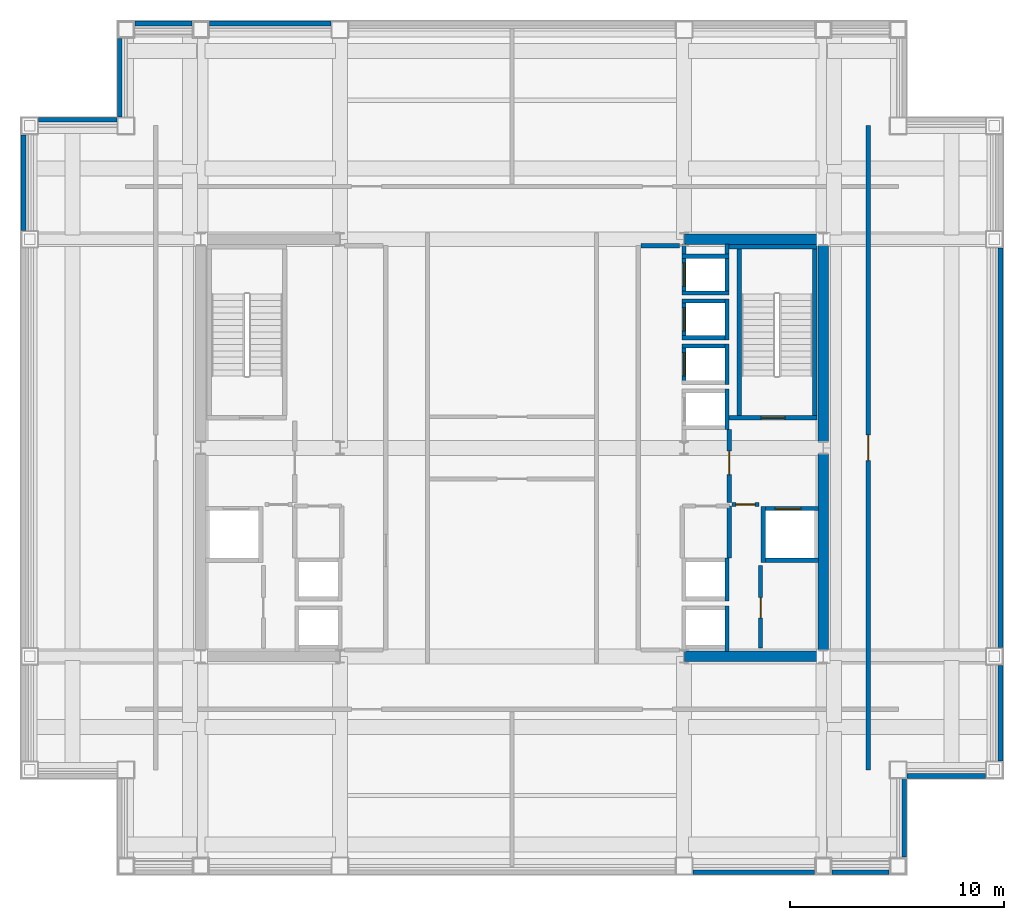
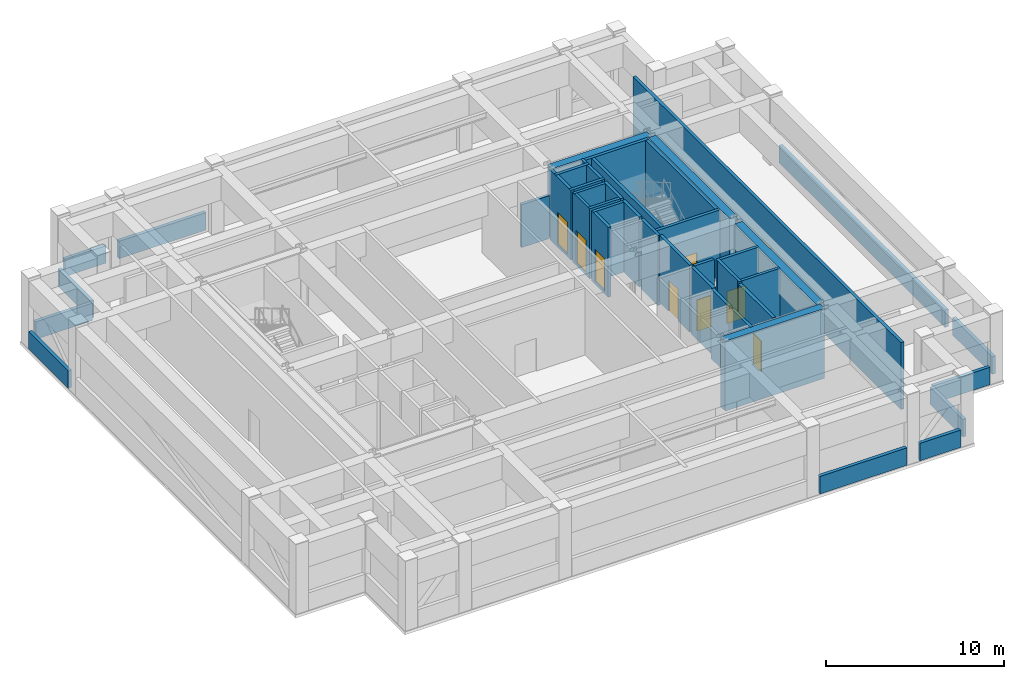
# One storey, part 5 of 9: 42 walls, 9 doors, 9 openings.
"""IFC4 building model written with IfcOpenShell, lengths in metres."""

from ifc_helpers import new_model, si_unit, direction, frame, frame_2d, origin, place, context, subcontext, project, spatial, rectangle, extrude, material, layer, layer_set, type_object, element, fill, save


model = new_model("IFC4")

# Units and contexts
model_context = context("Model", 3, precision=1e-05, world=origin(), true_north=direction((0.0, 1.0)))
body_context = subcontext(model_context, "Body", "Model", "MODEL_VIEW")
ifc_project = project(units=[si_unit("LENGTHUNIT", "METRE"), si_unit("AREAUNIT", "SQUARE_METRE"), si_unit("VOLUMEUNIT", "CUBIC_METRE"), si_unit("PLANEANGLEUNIT", "RADIAN"), si_unit("MASSUNIT", "GRAM", prefix="KILO")], contexts=[model_context])

# Site, building, storey
site_placement = place(None, origin())
site = spatial("IfcSite", under=ifc_project, at=site_placement, CompositionType="ELEMENT")
building_placement = place(site_placement, origin())
building = spatial("IfcBuilding", under=site, at=building_placement, Name="Brelmoor Portico Tower", CompositionType="ELEMENT")
storey_placement = place(building_placement, frame((0.0, 0.0, 145.800048828125)))
storey = spatial("IfcBuildingStorey", under=building, at=storey_placement, Name="L38", CompositionType="ELEMENT", Elevation=145.800048828125)

# Walls
ifc_material_1 = material(Name="Concrete C60", Category="concrete")
ifc_layer_1 = layer(ifc_material_1, 0.5)
ifc_layer_set_1 = layer_set([ifc_layer_1], Name="Concrete C60")
wall_type_1 = type_object("IfcWallType", Name="WL-CORE-500", PredefinedType="SHEAR", material=ifc_layer_set_1)
for number, where, z_axis, x_axis, name in (
    (1, (8.070068359375, -9.75, -0.199951171875), (0.0, 0.0, 1.0), (1.0, 0.0, 0.0), "L38 EC South Shear Wall"),
    (2, (8.070068359375, 9.75, -0.199951171875), (0.0, 0.0, 1.0), (1.0, 0.0, 0.0), "L38 EC North Shear Wall"),
):
    element("IfcWall", number, at=place(storey_placement, frame(where, z_axis=z_axis, x_axis=x_axis)), inside=storey, type_object=wall_type_1, Name=name, PredefinedType="SHEAR", context=body_context, shape_type="SweptSolid", body=[
        extrude(rectangle(XDim=6.4599609375, YDim=0.5, at=frame_2d((3.22998046875, 0.0))), origin(), (0.0, 0.0, 1.0), 4.7998046875),
    ])
for number, where, z_axis, x_axis, name in (
    (3, (14.550048828125, -9.449951171875, -0.199951171875), (0.0, 0.0, 1.0), (0.0, 1.0, 0.0), "L38 EC Outer South Shear Wall"),
    (4, (14.550048828125, 0.300048828125, -0.199951171875), (0.0, 0.0, 1.0), (0.0, 1.0, 0.0), "L38 EC Outer North Shear Wall"),
):
    element("IfcWall", number, at=place(storey_placement, frame(where, z_axis=z_axis, x_axis=x_axis)), inside=storey, type_object=wall_type_1, Name=name, PredefinedType="SHEAR", context=body_context, shape_type="SweptSolid", body=[
        extrude(rectangle(XDim=9.14990234375, YDim=0.5, at=frame_2d((4.574951171875, 0.0))), origin(), (0.0, 0.0, 1.0), 4.7998046875),
    ])
ifc_material_2 = material(Name="Concrete C40 Parapet Upstand", Category="concrete")
ifc_layer_2 = layer(ifc_material_2, 0.219970703125)
ifc_layer_set_2 = layer_set([ifc_layer_2], Name="Concrete C40 Parapet Upstand")
wall_type_2 = type_object("IfcWallType", Name="WL-PARAPET-220", PredefinedType="PARAPET", material=ifc_layer_set_2)
wall_1_placement = place(storey_placement, frame((8.469970703125, -19.840087890625, 0.0), z_axis=(0.0, 0.0, 1.0), x_axis=(1.0, 0.0, 0.0)))
element("IfcWall", 5, at=wall_1_placement, inside=storey, type_object=wall_type_2, Name="L38 Plant Louvre Perimeter Upstand 04", PredefinedType="PARAPET", context=body_context, shape_type="SweptSolid", body=[
    extrude(rectangle(XDim=5.659912109375, YDim=0.219970703125, at=frame_2d((2.830078125, 0.0))), origin(), (0.0, 0.0, 1.0), 1.199951171875),
])
wall_2_placement = place(storey_placement, frame((14.969970703125, -19.840087890625, 0.0), z_axis=(0.0, 0.0, 1.0), x_axis=(1.0, 0.0, 0.0)))
element("IfcWall", 6, at=wall_2_placement, inside=storey, type_object=wall_type_2, Name="L38 Plant Louvre Perimeter Upstand 05", PredefinedType="PARAPET", context=body_context, shape_type="SweptSolid", body=[
    extrude(rectangle(XDim=2.659912109375, YDim=0.219970703125, at=frame_2d((1.330078125, 0.0))), origin(), (0.0, 0.0, 1.0), 1.199951171875),
])
for number, where, z_axis, x_axis, name in (
    (7, (18.340087890625, -19.1298828125, 0.0), (0.0, 0.0, 1.0), (0.0, 1.0, 0.0), "L38 Plant Louvre Perimeter Upstand 06"),
    (8, (18.4599609375, -15.340087890625, 0.0), (0.0, 0.0, 1.0), (1.0, 0.0, 0.0), "L38 Plant Louvre Perimeter Upstand 07"),
):
    element("IfcWall", number, at=place(storey_placement, frame(where, z_axis=z_axis, x_axis=x_axis)), inside=storey, type_object=wall_type_2, Name=name, PredefinedType="PARAPET", context=body_context, shape_type="SweptSolid", body=[
        extrude(rectangle(XDim=3.669921875, YDim=0.219970703125, at=frame_2d((1.8349609375, 0.0))), origin(), (0.0, 0.0, 1.0), 1.199951171875),
    ])
wall_3_placement = place(storey_placement, frame((22.840087890625, -14.6298828125, 0.0), z_axis=(0.0, 0.0, 1.0), x_axis=(0.0, 1.0, 0.0)))
element("IfcWall", 9, at=wall_3_placement, inside=storey, type_object=wall_type_2, Name="L38 Plant Louvre Perimeter Upstand 08", PredefinedType="PARAPET", context=body_context, shape_type="SweptSolid", body=[
    extrude(rectangle(XDim=4.4599609375, YDim=0.219970703125, at=frame_2d((2.22998046875, 0.0))), origin(), (0.0, 0.0, 1.0), 1.199951171875),
])
wall_4_placement = place(storey_placement, frame((22.840087890625, -9.330078125, 0.0), z_axis=(0.0, 0.0, 1.0), x_axis=(0.0, 1.0, 0.0)))
element("IfcWall", 10, at=wall_4_placement, inside=storey, type_object=wall_type_2, Name="L38 Plant Louvre Perimeter Upstand 09", PredefinedType="PARAPET", context=body_context, shape_type="SweptSolid", body=[
    extrude(rectangle(XDim=18.66015625, YDim=0.219970703125, at=frame_2d((9.330078125, 0.0))), origin(), (0.0, 0.0, 1.0), 1.199951171875),
])
wall_5_placement = place(storey_placement, frame((-8.469970703125, 19.840087890625, 0.0), z_axis=(0.0, 0.0, 1.0), x_axis=(-1.0, 0.0, 0.0)))
element("IfcWall", 11, at=wall_5_placement, inside=storey, type_object=wall_type_2, Name="L38 Plant Louvre Perimeter Upstand 16", PredefinedType="PARAPET", context=body_context, shape_type="SweptSolid", body=[
    extrude(rectangle(XDim=5.659912109375, YDim=0.219970703125, at=frame_2d((2.830078125, 0.0))), origin(), (0.0, 0.0, 1.0), 1.199951171875),
])
wall_6_placement = place(storey_placement, frame((-14.969970703125, 19.840087890625, 0.0), z_axis=(0.0, 0.0, 1.0), x_axis=(-1.0, 0.0, 0.0)))
element("IfcWall", 12, at=wall_6_placement, inside=storey, type_object=wall_type_2, Name="L38 Plant Louvre Perimeter Upstand 17", PredefinedType="PARAPET", context=body_context, shape_type="SweptSolid", body=[
    extrude(rectangle(XDim=2.659912109375, YDim=0.219970703125, at=frame_2d((1.330078125, 0.0))), origin(), (0.0, 0.0, 1.0), 1.199951171875),
])
for number, where, z_axis, x_axis, name in (
    (13, (-18.340087890625, 19.1298828125, 0.0), (0.0, 0.0, 1.0), (0.0, -1.0, 0.0), "L38 Plant Louvre Perimeter Upstand 18"),
    (14, (-18.4599609375, 15.340087890625, 0.0), (0.0, 0.0, 1.0), (-1.0, 0.0, 0.0), "L38 Plant Louvre Perimeter Upstand 19"),
):
    element("IfcWall", number, at=place(storey_placement, frame(where, z_axis=z_axis, x_axis=x_axis)), inside=storey, type_object=wall_type_2, Name=name, PredefinedType="PARAPET", context=body_context, shape_type="SweptSolid", body=[
        extrude(rectangle(XDim=3.669921875, YDim=0.219970703125, at=frame_2d((1.8349609375, 0.0))), origin(), (0.0, 0.0, 1.0), 1.199951171875),
    ])
wall_7_placement = place(storey_placement, frame((-22.840087890625, 14.6298828125, 0.0), z_axis=(0.0, 0.0, 1.0), x_axis=(0.0, -1.0, 0.0)))
element("IfcWall", 15, at=wall_7_placement, inside=storey, type_object=wall_type_2, Name="L38 Plant Louvre Perimeter Upstand 20", PredefinedType="PARAPET", context=body_context, shape_type="SweptSolid", body=[
    extrude(rectangle(XDim=4.4599609375, YDim=0.219970703125, at=frame_2d((2.22998046875, 0.0))), origin(), (0.0, 0.0, 1.0), 1.199951171875),
])
ifc_material_3 = material(Name="Double-Stud Gypsum Fire Partition", Category="gypsum")
ifc_layer_3 = layer(ifc_material_3, 0.199951171875)
ifc_layer_set_3 = layer_set([ifc_layer_3], Name="Double-Stud Gypsum Fire Partition")
wall_type_3 = type_object("IfcWallType", Name="WL-PART-200", PredefinedType="PARTITIONING", material=ifc_layer_set_3)
wall_8_placement = place(storey_placement, frame((6.02001953125, 9.449951171875, 0.0), z_axis=(0.0, 0.0, 1.0), x_axis=(1.0, 0.0, 0.0)))
element("IfcWall", 16, at=wall_8_placement, inside=storey, type_object=wall_type_3, Name="L38 E Lift Lobby North End Wall", PredefinedType="PARTITIONING", context=body_context, shape_type="SweptSolid", body=[
    extrude(rectangle(XDim=1.800048828125, YDim=0.199951171875, at=frame_2d((0.89990234375, 0.0))), origin(), (0.0, 0.0, 1.0), 2.949951171875),
])

# Wall, opening, door
wall_9_placement = place(storey_placement, frame((10.159912109375, -2.550048828125, 0.0), z_axis=(0.0, 0.0, 1.0), x_axis=(0.0, 1.0, 0.0)))
wall_9 = element("IfcWall", 17, at=wall_9_placement, inside=storey, type_object=wall_type_3, Name="L38 E Firefighting Lobby Wall", PredefinedType="PARTITIONING", context=body_context, shape_type="SweptSolid", body=[
    extrude(rectangle(XDim=3.400146484375, YDim=0.199951171875, at=frame_2d((1.7001953125, 0.0))), origin(), (0.0, 0.0, 1.0), 4.599853515625),
])
opening_1_placement = place(wall_9_placement, frame((1.300048828125, 0.0, 0.0)))
opening_1 = element("IfcOpeningElement", 18, at=opening_1_placement, cuts=wall_9, Name="Opening D-FR1", PredefinedType="OPENING", context=body_context, shape_type="SweptSolid", body=[
    extrude(rectangle(XDim=1.10009765625, YDim=2.14990234375, at=frame_2d((0.550048828125, 1.074951171875))), frame((0.0, 0.10986328125, 0.0), z_axis=(0.0, -1.0, 0.0), x_axis=(1.0, 0.0, 0.0)), (0.0, 0.0, 1.0), 0.219970703125),
])
ifc_material_4 = material(Name="Painted Galvanised Steel Fire Door", Category="steel")
door_type_1 = type_object("IfcDoorType", Name="DR-FIRE-1100", OperationType="NOTDEFINED", PredefinedType="DOOR", material=ifc_material_4)
door_1_placement = place(opening_1_placement, origin())
door_1 = element("IfcDoor", 19, at=door_1_placement, inside=storey, type_object=door_type_1, Name="D-1649 L38 E Firefighting Lobby Door", OperationType="SINGLE_SWING_RIGHT", OverallHeight=2.14990234375, OverallWidth=1.10009765625, PredefinedType="DOOR", context=body_context, shape_type="SweptSolid", body=[
    extrude(rectangle(XDim=1.10009765625, YDim=2.14990234375, at=frame_2d((0.550048828125, 1.074951171875))), frame((0.0, 0.02490234375, 0.0), z_axis=(0.0, -1.0, 0.0), x_axis=(1.0, 0.0, 0.0)), (0.0, 0.0, 1.0), 0.050048828125),
])
fill(opening_1, door_1)

wall_10_placement = place(storey_placement, frame((10.280029296875, -2.64990234375, 0.0), z_axis=(0.0, 0.0, 1.0), x_axis=(1.0, 0.0, 0.0)))
wall_10 = element("IfcWall", 20, at=wall_10_placement, inside=storey, type_object=wall_type_3, Name="L38 E Firefighting Lobby South Wall", PredefinedType="PARTITIONING", context=body_context, shape_type="SweptSolid", body=[
    extrude(rectangle(XDim=1.27001953125, YDim=0.199951171875, at=frame_2d((0.635009765625, 0.0))), origin(), (0.0, 0.0, 1.0), 4.599853515625),
])
opening_2_placement = place(wall_10_placement, frame((0.18505859375, 0.0, 0.0)))
opening_2 = element("IfcOpeningElement", 21, at=opening_2_placement, cuts=wall_10, Name="Opening D-IN1", PredefinedType="OPENING", context=body_context, shape_type="SweptSolid", body=[
    extrude(rectangle(XDim=0.89990234375, YDim=2.14990234375, at=frame_2d((0.449951171875, 1.074951171875))), frame((0.0, 0.10986328125, 0.0), z_axis=(0.0, -1.0, 0.0), x_axis=(1.0, 0.0, 0.0)), (0.0, 0.0, 1.0), 0.219970703125),
])
ifc_material_5 = material(Name="Lacquered Timber Suite Door", Category="wood")
door_type_2 = type_object("IfcDoorType", Name="DR-INT-900", OperationType="NOTDEFINED", PredefinedType="DOOR", material=ifc_material_5)
door_2_placement = place(opening_2_placement, origin())
door_2 = element("IfcDoor", 22, at=door_2_placement, inside=storey, type_object=door_type_2, Name="D-1645 L38 E Core Service Vestibule Door", OperationType="SINGLE_SWING_LEFT", OverallHeight=2.14990234375, OverallWidth=0.89990234375, PredefinedType="DOOR", context=body_context, shape_type="SweptSolid", body=[
    extrude(rectangle(XDim=0.89990234375, YDim=2.14990234375, at=frame_2d((0.449951171875, 1.074951171875))), frame((0.0, 0.02490234375, 0.0), z_axis=(0.0, -1.0, 0.0), x_axis=(1.0, 0.0, 0.0)), (0.0, 0.0, 1.0), 0.050048828125),
])
fill(opening_2, door_2)

# Wall
wall_11_placement = place(storey_placement, frame((10.159912109375, -5.159912109375, 0.0), z_axis=(0.0, 0.0, 1.0), x_axis=(0.0, 1.0, 0.0)))
element("IfcWall", 23, at=wall_11_placement, inside=storey, type_object=wall_type_3, Name="L38 E Electrical Switchgear Closet Outer Wall", PredefinedType="PARTITIONING", context=body_context, shape_type="SweptSolid", body=[
    extrude(rectangle(XDim=2.43994140625, YDim=0.199951171875, at=frame_2d((1.219970703125, 0.0))), origin(), (0.0, 0.0, 1.0), 4.599853515625),
])

# Wall, opening, door
wall_12_placement = place(storey_placement, frame((11.6201171875, -9.35009765625, 0.0), z_axis=(0.0, 0.0, 1.0), x_axis=(0.0, 1.0, 0.0)))
wall_12 = element("IfcWall", 24, at=wall_12_placement, inside=storey, type_object=wall_type_3, Name="L38 E Mechanical Equipment Closet Wall", PredefinedType="PARTITIONING", context=body_context, shape_type="SweptSolid", body=[
    extrude(rectangle(XDim=3.85009765625, YDim=0.199951171875, at=frame_2d((1.925048828125, 0.0))), origin(), (0.0, 0.0, 1.0), 4.599853515625),
])
opening_3_placement = place(wall_12_placement, frame((1.39990234375, 0.0, 0.0)))
opening_3 = element("IfcOpeningElement", 25, at=opening_3_placement, cuts=wall_12, Name="Opening D-FR4", PredefinedType="OPENING", context=body_context, shape_type="SweptSolid", body=[
    extrude(rectangle(XDim=0.949951171875, YDim=2.10009765625, at=frame_2d((0.47509765625, 1.050048828125))), frame((0.0, 0.10986328125, 0.0), z_axis=(0.0, -1.0, 0.0), x_axis=(1.0, 0.0, 0.0)), (0.0, 0.0, 1.0), 0.219970703125),
])
ifc_material_6 = material(Name="Painted Galvanised Steel Riser Door", Category="steel")
door_type_3 = type_object("IfcDoorType", Name="DR-FIRE-950", OperationType="NOTDEFINED", PredefinedType="DOOR", material=ifc_material_6)
door_3_placement = place(opening_3_placement, origin())
door_3 = element("IfcDoor", 26, at=door_3_placement, inside=storey, type_object=door_type_3, Name="D-1643 L38 E Mechanical Equipment Closet Door", OperationType="SINGLE_SWING_LEFT", OverallHeight=2.10009765625, OverallWidth=0.949951171875, PredefinedType="DOOR", context=body_context, shape_type="SweptSolid", body=[
    extrude(rectangle(XDim=0.949951171875, YDim=2.10009765625, at=frame_2d((0.47509765625, 1.050048828125))), frame((0.0, 0.02490234375, 0.0), z_axis=(0.0, -1.0, 0.0), x_axis=(1.0, 0.0, 0.0)), (0.0, 0.0, 1.0), 0.050048828125),
])
fill(opening_3, door_3)

wall_13_placement = place(storey_placement, frame((16.64990234375, -15.070068359375, 0.0), z_axis=(0.0, 0.0, 1.0), x_axis=(0.0, 1.0, 0.0)))
wall_13 = element("IfcWall", 27, at=wall_13_placement, inside=storey, type_object=wall_type_3, Name="L38 Pressurised Refuge Area East Fire Wall", PredefinedType="PARTITIONING", context=body_context, shape_type="SweptSolid", body=[
    extrude(rectangle(XDim=30.14013671875, YDim=0.199951171875, at=frame_2d((15.070068359375, 0.0))), origin(), (0.0, 0.0, 1.0), 4.599853515625),
])
opening_4_placement = place(wall_13_placement, frame((14.469970703125, 0.0, 0.0)))
opening_4 = element("IfcOpeningElement", 28, at=opening_4_placement, cuts=wall_13, Name="Opening D-FR3", PredefinedType="OPENING", context=body_context, shape_type="SweptSolid", body=[
    extrude(rectangle(XDim=1.199951171875, YDim=2.219970703125, at=frame_2d((0.60009765625, 1.10986328125))), frame((0.0, 0.10986328125, 0.0), z_axis=(0.0, -1.0, 0.0), x_axis=(1.0, 0.0, 0.0)), (0.0, 0.0, 1.0), 0.219970703125),
])
door_type_4 = type_object("IfcDoorType", Name="DR-FIRE-1200", OperationType="NOTDEFINED", PredefinedType="DOOR", material=ifc_material_4)
door_4_placement = place(opening_4_placement, origin())
door_4 = element("IfcDoor", 29, at=door_4_placement, inside=storey, type_object=door_type_4, Name="D-1659 L38 Pressurised Refuge Area East Door", OperationType="SINGLE_SWING_LEFT", OverallHeight=2.219970703125, OverallWidth=1.199951171875, PredefinedType="DOOR", context=body_context, shape_type="SweptSolid", body=[
    extrude(rectangle(XDim=1.199951171875, YDim=2.219970703125, at=frame_2d((0.60009765625, 1.10986328125))), frame((0.0, 0.02490234375, 0.0), z_axis=(0.0, -1.0, 0.0), x_axis=(1.0, 0.0, 0.0)), (0.0, 0.0, 1.0), 0.050048828125),
])
fill(opening_4, door_4)

# Wall
ifc_material_7 = material(Name="Precast Concrete C40", Category="concrete")
ifc_layer_4 = layer(ifc_material_7, 0.18994140625)
ifc_layer_set_4 = layer_set([ifc_layer_4], Name="Precast Concrete C40")
wall_type_4 = type_object("IfcWallType", Name="WL-SHAFT-180", PredefinedType="SOLIDWALL", material=ifc_layer_set_4)
wall_14_placement = place(storey_placement, frame((10.054931640625, 0.85009765625, -0.199951171875), z_axis=(0.0, 0.0, 1.0), x_axis=(0.0, 1.0, 0.0)))
element("IfcWall", 30, at=wall_14_placement, inside=storey, type_object=wall_type_4, Name="L38 Lift PM1 Hoistway Back Wall", PredefinedType="SOLIDWALL", context=body_context, shape_type="SweptSolid", body=[
    extrude(rectangle(XDim=1.89990234375, YDim=0.18994140625, at=frame_2d((0.949951171875, 0.0))), origin(), (0.0, 0.0, 1.0), 4.7998046875),
])

# Wall, opening, door
wall_15_placement = place(storey_placement, frame((8.044921875, 2.949951171875, -0.199951171875), z_axis=(0.0, 0.0, 1.0), x_axis=(0.0, 1.0, 0.0)))
wall_15 = element("IfcWall", 31, at=wall_15_placement, inside=storey, type_object=wall_type_4, Name="L38 Lift PM2 Hoistway Front Wall", PredefinedType="SOLIDWALL", context=body_context, shape_type="SweptSolid", body=[
    extrude(rectangle(XDim=1.900146484375, YDim=0.18994140625, at=frame_2d((0.9501953125, 0.0))), origin(), (0.0, 0.0, 1.0), 4.7998046875),
])
opening_5_placement = place(wall_15_placement, frame((0.39990234375, 0.0, 0.199951171875)))
opening_5 = element("IfcOpeningElement", 32, at=opening_5_placement, cuts=wall_15, Name="Opening LD-01", PredefinedType="OPENING", context=body_context, shape_type="SweptSolid", body=[
    extrude(rectangle(XDim=1.10009765625, YDim=2.199951171875, at=frame_2d((0.550048828125, 1.10009765625))), frame((0.0, 0.10498046875, 0.0), z_axis=(0.0, -1.0, 0.0), x_axis=(1.0, 0.0, 0.0)), (0.0, 0.0, 1.0), 0.2099609375),
])
ifc_material_8 = material(Name="Brushed Stainless Steel Sliding Lift Door", Category="steel")
door_type_5 = type_object("IfcDoorType", Name="DR-LIFT-1100", OperationType="NOTDEFINED", PredefinedType="DOOR", material=ifc_material_8)
door_5_placement = place(opening_5_placement, origin())
door_5 = element("IfcDoor", 33, at=door_5_placement, inside=storey, type_object=door_type_5, Name="D-1666 L38 Lift PM2 Sliding Landing Door", OperationType="SLIDING_TO_LEFT", OverallHeight=2.199951171875, OverallWidth=1.10009765625, PredefinedType="DOOR", context=body_context, shape_type="SweptSolid", body=[
    extrude(rectangle(XDim=1.10009765625, YDim=2.199951171875, at=frame_2d((0.550048828125, 1.10009765625))), frame((0.0, 0.02490234375, 0.0), z_axis=(0.0, -1.0, 0.0), x_axis=(1.0, 0.0, 0.0)), (0.0, 0.0, 1.0), 0.050048828125),
])
fill(opening_5, door_5)

# Walls
wall_16_placement = place(storey_placement, frame((10.054931640625, 2.949951171875, -0.199951171875), z_axis=(0.0, 0.0, 1.0), x_axis=(0.0, 1.0, 0.0)))
element("IfcWall", 34, at=wall_16_placement, inside=storey, type_object=wall_type_4, Name="L38 Lift PM2 Hoistway Back Wall", PredefinedType="SOLIDWALL", context=body_context, shape_type="SweptSolid", body=[
    extrude(rectangle(XDim=1.900146484375, YDim=0.18994140625, at=frame_2d((0.9501953125, 0.0))), origin(), (0.0, 0.0, 1.0), 4.7998046875),
])
wall_17_placement = place(storey_placement, frame((7.949951171875, 4.7548828125, -0.199951171875), z_axis=(0.0, 0.0, 1.0), x_axis=(1.0, 0.0, 0.0)))
element("IfcWall", 35, at=wall_17_placement, inside=storey, type_object=wall_type_4, Name="L38 Lift PM2 Hoistway North Wall", PredefinedType="SOLIDWALL", context=body_context, shape_type="SweptSolid", body=[
    extrude(rectangle(XDim=2.199951171875, YDim=0.18994140625, at=frame_2d((1.10009765625, 0.0))), origin(), (0.0, 0.0, 1.0), 4.7998046875),
])

# Wall, opening, door
wall_18_placement = place(storey_placement, frame((8.044921875, 5.050048828125, -0.199951171875), z_axis=(0.0, 0.0, 1.0), x_axis=(0.0, 1.0, 0.0)))
wall_18 = element("IfcWall", 36, at=wall_18_placement, inside=storey, type_object=wall_type_4, Name="L38 Lift PM3 Hoistway Front Wall", PredefinedType="SOLIDWALL", context=body_context, shape_type="SweptSolid", body=[
    extrude(rectangle(XDim=1.89990234375, YDim=0.18994140625, at=frame_2d((0.949951171875, 0.0))), origin(), (0.0, 0.0, 1.0), 4.7998046875),
])
opening_6_placement = place(wall_18_placement, frame((0.39990234375, 0.0, 0.199951171875)))
opening_6 = element("IfcOpeningElement", 37, at=opening_6_placement, cuts=wall_18, Name="Opening LD-01", PredefinedType="OPENING", context=body_context, shape_type="SweptSolid", body=[
    extrude(rectangle(XDim=1.10009765625, YDim=2.199951171875, at=frame_2d((0.550048828125, 1.10009765625))), frame((0.0, 0.10498046875, 0.0), z_axis=(0.0, -1.0, 0.0), x_axis=(1.0, 0.0, 0.0)), (0.0, 0.0, 1.0), 0.2099609375),
])
door_6_placement = place(opening_6_placement, origin())
door_6 = element("IfcDoor", 38, at=door_6_placement, inside=storey, type_object=door_type_5, Name="D-1667 L38 Lift PM3 Sliding Landing Door", OperationType="SLIDING_TO_LEFT", OverallHeight=2.199951171875, OverallWidth=1.10009765625, PredefinedType="DOOR", context=body_context, shape_type="SweptSolid", body=[
    extrude(rectangle(XDim=1.10009765625, YDim=2.199951171875, at=frame_2d((0.550048828125, 1.10009765625))), frame((0.0, 0.02490234375, 0.0), z_axis=(0.0, -1.0, 0.0), x_axis=(1.0, 0.0, 0.0)), (0.0, 0.0, 1.0), 0.050048828125),
])
fill(opening_6, door_6)

# Walls
wall_19_placement = place(storey_placement, frame((10.054931640625, 5.050048828125, -0.199951171875), z_axis=(0.0, 0.0, 1.0), x_axis=(0.0, 1.0, 0.0)))
element("IfcWall", 39, at=wall_19_placement, inside=storey, type_object=wall_type_4, Name="L38 Lift PM3 Hoistway Back Wall", PredefinedType="SOLIDWALL", context=body_context, shape_type="SweptSolid", body=[
    extrude(rectangle(XDim=1.89990234375, YDim=0.18994140625, at=frame_2d((0.949951171875, 0.0))), origin(), (0.0, 0.0, 1.0), 4.7998046875),
])
for number, where, z_axis, x_axis, name in (
    (40, (7.949951171875, 6.85498046875, -0.199951171875), (0.0, 0.0, 1.0), (1.0, 0.0, 0.0), "L38 Lift PM3 Hoistway North Wall"),
    (41, (7.949951171875, 5.14501953125, -0.199951171875), (0.0, 0.0, 1.0), (1.0, 0.0, 0.0), "L38 Lift PM3 Hoistway South Wall"),
):
    element("IfcWall", number, at=place(storey_placement, frame(where, z_axis=z_axis, x_axis=x_axis)), inside=storey, type_object=wall_type_4, Name=name, PredefinedType="SOLIDWALL", context=body_context, shape_type="SweptSolid", body=[
        extrude(rectangle(XDim=2.199951171875, YDim=0.18994140625, at=frame_2d((1.10009765625, 0.0))), origin(), (0.0, 0.0, 1.0), 4.7998046875),
    ])

# Wall, opening, door
wall_20_placement = place(storey_placement, frame((8.044921875, 7.14990234375, -0.199951171875), z_axis=(0.0, 0.0, 1.0), x_axis=(0.0, 1.0, 0.0)))
wall_20 = element("IfcWall", 42, at=wall_20_placement, inside=storey, type_object=wall_type_4, Name="L38 Lift PM4 Hoistway Front Wall", PredefinedType="SOLIDWALL", context=body_context, shape_type="SweptSolid", body=[
    extrude(rectangle(XDim=2.3701171875, YDim=0.18994140625, at=frame_2d((1.18505859375, 0.0))), origin(), (0.0, 0.0, 1.0), 4.7998046875),
])
opening_7_placement = place(wall_20_placement, frame((0.39990234375, 0.0, 0.199951171875)))
opening_7 = element("IfcOpeningElement", 43, at=opening_7_placement, cuts=wall_20, Name="Opening LD-01", PredefinedType="OPENING", context=body_context, shape_type="SweptSolid", body=[
    extrude(rectangle(XDim=1.10009765625, YDim=2.199951171875, at=frame_2d((0.550048828125, 1.10009765625))), frame((0.0, 0.10498046875, 0.0), z_axis=(0.0, -1.0, 0.0), x_axis=(1.0, 0.0, 0.0)), (0.0, 0.0, 1.0), 0.2099609375),
])
door_7_placement = place(opening_7_placement, origin())
door_7 = element("IfcDoor", 44, at=door_7_placement, inside=storey, type_object=door_type_5, Name="D-1668 L38 Lift PM4 Sliding Landing Door", OperationType="SLIDING_TO_LEFT", OverallHeight=2.199951171875, OverallWidth=1.10009765625, PredefinedType="DOOR", context=body_context, shape_type="SweptSolid", body=[
    extrude(rectangle(XDim=1.10009765625, YDim=2.199951171875, at=frame_2d((0.550048828125, 1.10009765625))), frame((0.0, 0.02490234375, 0.0), z_axis=(0.0, -1.0, 0.0), x_axis=(1.0, 0.0, 0.0)), (0.0, 0.0, 1.0), 0.050048828125),
])
fill(opening_7, door_7)

# Walls
wall_21_placement = place(storey_placement, frame((10.054931640625, 7.14990234375, -0.199951171875), z_axis=(0.0, 0.0, 1.0), x_axis=(0.0, 1.0, 0.0)))
element("IfcWall", 45, at=wall_21_placement, inside=storey, type_object=wall_type_4, Name="L38 Lift PM4 Hoistway Back Wall", PredefinedType="SOLIDWALL", context=body_context, shape_type="SweptSolid", body=[
    extrude(rectangle(XDim=2.3701171875, YDim=0.18994140625, at=frame_2d((1.18505859375, 0.0))), origin(), (0.0, 0.0, 1.0), 4.7998046875),
])
for number, where, z_axis, x_axis, name in (
    (46, (7.949951171875, 8.955078125, -0.199951171875), (0.0, 0.0, 1.0), (1.0, 0.0, 0.0), "L38 Lift PM4 Hoistway North Wall"),
    (47, (7.949951171875, 7.2451171875, -0.199951171875), (0.0, 0.0, 1.0), (1.0, 0.0, 0.0), "L38 Lift PM4 Hoistway South Wall"),
):
    element("IfcWall", number, at=place(storey_placement, frame(where, z_axis=z_axis, x_axis=x_axis)), inside=storey, type_object=wall_type_4, Name=name, PredefinedType="SOLIDWALL", context=body_context, shape_type="SweptSolid", body=[
        extrude(rectangle(XDim=2.199951171875, YDim=0.18994140625, at=frame_2d((1.10009765625, 0.0))), origin(), (0.0, 0.0, 1.0), 4.7998046875),
    ])
wall_22_placement = place(storey_placement, frame((10.054931640625, -9.52001953125, -0.199951171875), z_axis=(0.0, 0.0, 1.0), x_axis=(0.0, 1.0, 0.0)))
element("IfcWall", 48, at=wall_22_placement, inside=storey, type_object=wall_type_4, Name="L38 Lift PH3 Hoistway Back Wall", PredefinedType="SOLIDWALL", context=body_context, shape_type="SweptSolid", body=[
    extrude(rectangle(XDim=2.1201171875, YDim=0.18994140625, at=frame_2d((1.06005859375, 0.0))), origin(), (0.0, 0.0, 1.0), 4.7998046875),
])
wall_23_placement = place(storey_placement, frame((10.054931640625, -7.14990234375, -0.199951171875), z_axis=(0.0, 0.0, 1.0), x_axis=(0.0, 1.0, 0.0)))
element("IfcWall", 49, at=wall_23_placement, inside=storey, type_object=wall_type_4, Name="L38 Lift PH4 Hoistway Back Wall", PredefinedType="SOLIDWALL", context=body_context, shape_type="SweptSolid", body=[
    extrude(rectangle(XDim=2.0, YDim=0.18994140625, at=frame_2d((1.0, 0.0))), origin(), (0.0, 0.0, 1.0), 4.7998046875),
])

# Wall, opening, door
wall_24_placement = place(storey_placement, frame((11.64990234375, -2.844970703125, -0.199951171875), z_axis=(0.0, 0.0, 1.0), x_axis=(1.0, 0.0, 0.0)))
wall_24 = element("IfcWall", 50, at=wall_24_placement, inside=storey, type_object=wall_type_4, Name="L38 Lift FF2 Hoistway Front Wall", PredefinedType="SOLIDWALL", context=body_context, shape_type="SweptSolid", body=[
    extrude(rectangle(XDim=2.68017578125, YDim=0.18994140625, at=frame_2d((1.340087890625, 0.0))), origin(), (0.0, 0.0, 1.0), 4.7998046875),
])
opening_8_placement = place(wall_24_placement, frame((0.64990234375, 0.0, 0.199951171875)))
opening_8 = element("IfcOpeningElement", 51, at=opening_8_placement, cuts=wall_24, Name="Opening LD-02", PredefinedType="OPENING", context=body_context, shape_type="SweptSolid", body=[
    extrude(rectangle(XDim=1.199951171875, YDim=2.199951171875, at=frame_2d((0.60009765625, 1.10009765625))), frame((0.0, 0.10498046875, 0.0), z_axis=(0.0, -1.0, 0.0), x_axis=(1.0, 0.0, 0.0)), (0.0, 0.0, 1.0), 0.2099609375),
])
ifc_material_9 = material(Name="Brushed Stainless Steel Firefighting Lift Door", Category="steel")
door_type_6 = type_object("IfcDoorType", Name="DR-LIFT-1200", OperationType="NOTDEFINED", PredefinedType="DOOR", material=ifc_material_9)
door_8_placement = place(opening_8_placement, origin())
door_8 = element("IfcDoor", 52, at=door_8_placement, inside=storey, type_object=door_type_6, Name="D-1664 L38 Lift FF2 Sliding Landing Door", OperationType="SLIDING_TO_LEFT", OverallHeight=2.199951171875, OverallWidth=1.199951171875, PredefinedType="DOOR", context=body_context, shape_type="SweptSolid", body=[
    extrude(rectangle(XDim=1.199951171875, YDim=2.199951171875, at=frame_2d((0.60009765625, 1.10009765625))), frame((0.0, 0.02490234375, 0.0), z_axis=(0.0, -1.0, 0.0), x_axis=(1.0, 0.0, 0.0)), (0.0, 0.0, 1.0), 0.050048828125),
])
fill(opening_8, door_8)

# Walls
wall_25_placement = place(storey_placement, frame((11.64990234375, -5.2548828125, -0.199951171875), z_axis=(0.0, 0.0, 1.0), x_axis=(1.0, 0.0, 0.0)))
element("IfcWall", 53, at=wall_25_placement, inside=storey, type_object=wall_type_4, Name="L38 Firefighting Lift FF2 South Wall", PredefinedType="SOLIDWALL", context=body_context, shape_type="SweptSolid", body=[
    extrude(rectangle(XDim=2.68017578125, YDim=0.18994140625, at=frame_2d((1.340087890625, 0.0))), origin(), (0.0, 0.0, 1.0), 4.7998046875),
])
wall_26_placement = place(storey_placement, frame((11.7451171875, -5.35009765625, -0.199951171875), z_axis=(0.0, 0.0, 1.0), x_axis=(0.0, 1.0, 0.0)))
element("IfcWall", 54, at=wall_26_placement, inside=storey, type_object=wall_type_4, Name="L38 Firefighting Lift FF2 Inner Wall", PredefinedType="SOLIDWALL", context=body_context, shape_type="SweptSolid", body=[
    extrude(rectangle(XDim=2.60009765625, YDim=0.18994140625, at=frame_2d((1.300048828125, 0.0))), origin(), (0.0, 0.0, 1.0), 4.7998046875),
])
ifc_material_10 = material(Name="Concrete C40", Category="concrete")
ifc_layer_5 = layer(ifc_material_10, 0.199951171875)
ifc_layer_set_5 = layer_set([ifc_layer_5], Name="Concrete C40")
wall_type_5 = type_object("IfcWallType", Name="WL-SHAFT-RC200", PredefinedType="SOLIDWALL", material=ifc_layer_set_5)
wall_27_placement = place(storey_placement, frame((14.14990234375, 1.5, -0.199951171875), z_axis=(0.0, 0.0, 1.0), x_axis=(0.0, 1.0, 0.0)))
element("IfcWall", 55, at=wall_27_placement, inside=storey, type_object=wall_type_5, Name="L38 ST-E Structural Stair Wall Outer", PredefinedType="SOLIDWALL", context=body_context, shape_type="SweptSolid", body=[
    extrude(rectangle(XDim=7.800048828125, YDim=0.199951171875, at=frame_2d((3.89990234375, 0.0))), origin(), (0.0, 0.0, 1.0), 4.7998046875),
])

# Wall, opening, door
wall_28_placement = place(storey_placement, frame((10.14990234375, 1.39990234375, -0.199951171875), z_axis=(0.0, 0.0, 1.0), x_axis=(1.0, 0.0, 0.0)))
wall_28 = element("IfcWall", 56, at=wall_28_placement, inside=storey, type_object=wall_type_5, Name="L38 ST-E Structural Stair Wall S", PredefinedType="SOLIDWALL", context=body_context, shape_type="SweptSolid", body=[
    extrude(rectangle(XDim=4.10009765625, YDim=0.199951171875, at=frame_2d((2.050048828125, 0.0))), origin(), (0.0, 0.0, 1.0), 4.7998046875),
])
opening_9_placement = place(wall_28_placement, frame((1.5, 0.0, 0.199951171875)))
opening_9 = element("IfcOpeningElement", 57, at=opening_9_placement, cuts=wall_28, Name="Opening D-ST1", PredefinedType="OPENING", context=body_context, shape_type="SweptSolid", body=[
    extrude(rectangle(XDim=1.1201171875, YDim=2.179931640625, at=frame_2d((0.56005859375, 1.08984375))), frame((0.0, 0.10986328125, 0.0), z_axis=(0.0, -1.0, 0.0), x_axis=(1.0, 0.0, 0.0)), (0.0, 0.0, 1.0), 0.219970703125),
])
door_type_7 = type_object("IfcDoorType", Name="DR-STAIR-1100", OperationType="NOTDEFINED", PredefinedType="DOOR", material=ifc_material_4)
door_9_placement = place(opening_9_placement, origin())
door_9 = element("IfcDoor", 58, at=door_9_placement, inside=storey, type_object=door_type_7, Name="D-1661 L38 ST-E Protected Exit Stair Door", OperationType="SINGLE_SWING_RIGHT", OverallHeight=2.179931640625, OverallWidth=1.1201171875, PredefinedType="DOOR", context=body_context, shape_type="SweptSolid", body=[
    extrude(rectangle(XDim=1.1201171875, YDim=2.179931640625, at=frame_2d((0.56005859375, 1.08984375))), frame((0.0, 0.02490234375, 0.0), z_axis=(0.0, -1.0, 0.0), x_axis=(1.0, 0.0, 0.0)), (0.0, 0.0, 1.0), 0.050048828125),
])
fill(opening_9, door_9)

# Walls
wall_29_placement = place(storey_placement, frame((10.14990234375, 9.39990234375, -0.199951171875), z_axis=(0.0, 0.0, 1.0), x_axis=(1.0, 0.0, 0.0)))
element("IfcWall", 59, at=wall_29_placement, inside=storey, type_object=wall_type_5, Name="L38 ST-E Structural Stair Wall N", PredefinedType="SOLIDWALL", context=body_context, shape_type="SweptSolid", body=[
    extrude(rectangle(XDim=4.10009765625, YDim=0.199951171875, at=frame_2d((2.050048828125, 0.0))), origin(), (0.0, 0.0, 1.0), 4.7998046875),
])
wall_30_placement = place(storey_placement, frame((10.6298828125, 1.5, -0.199951171875), z_axis=(0.0, 0.0, 1.0), x_axis=(0.0, 1.0, 0.0)))
element("IfcWall", 60, at=wall_30_placement, inside=storey, type_object=wall_type_5, Name="L38 ST-E Structural Stair Wall Inner", PredefinedType="SOLIDWALL", context=body_context, shape_type="SweptSolid", body=[
    extrude(rectangle(XDim=7.800048828125, YDim=0.199951171875, at=frame_2d((3.89990234375, 0.0))), origin(), (0.0, 0.0, 1.0), 4.7998046875),
])

save(model, "model.ifc")
